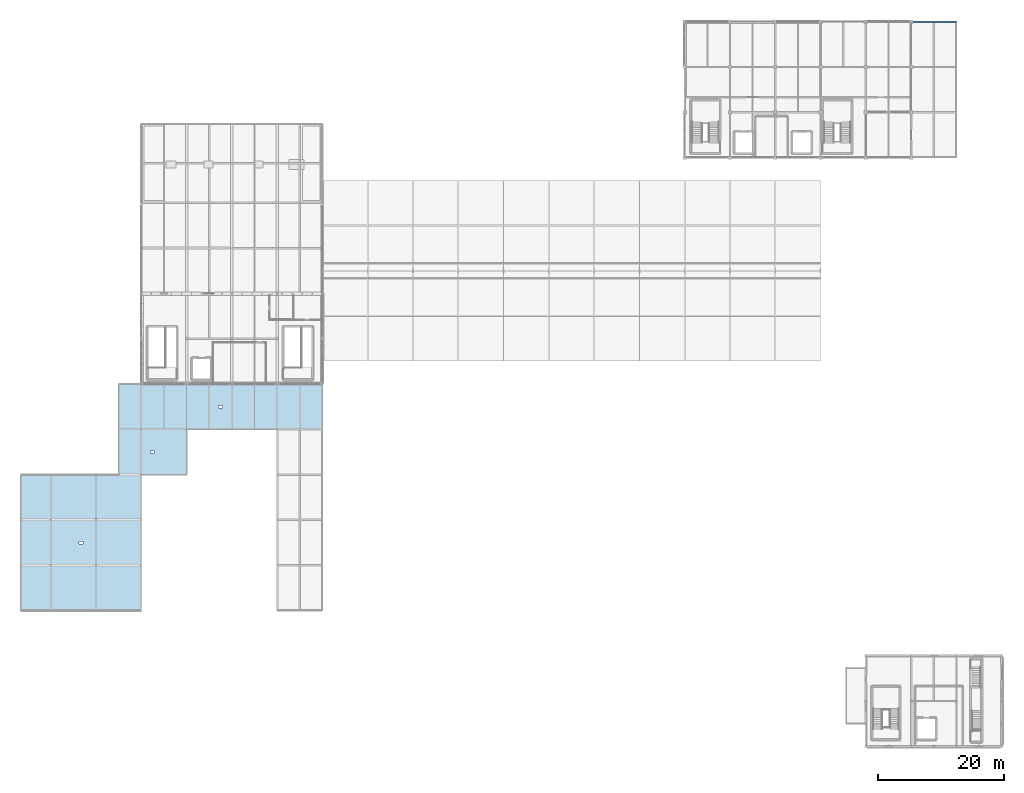
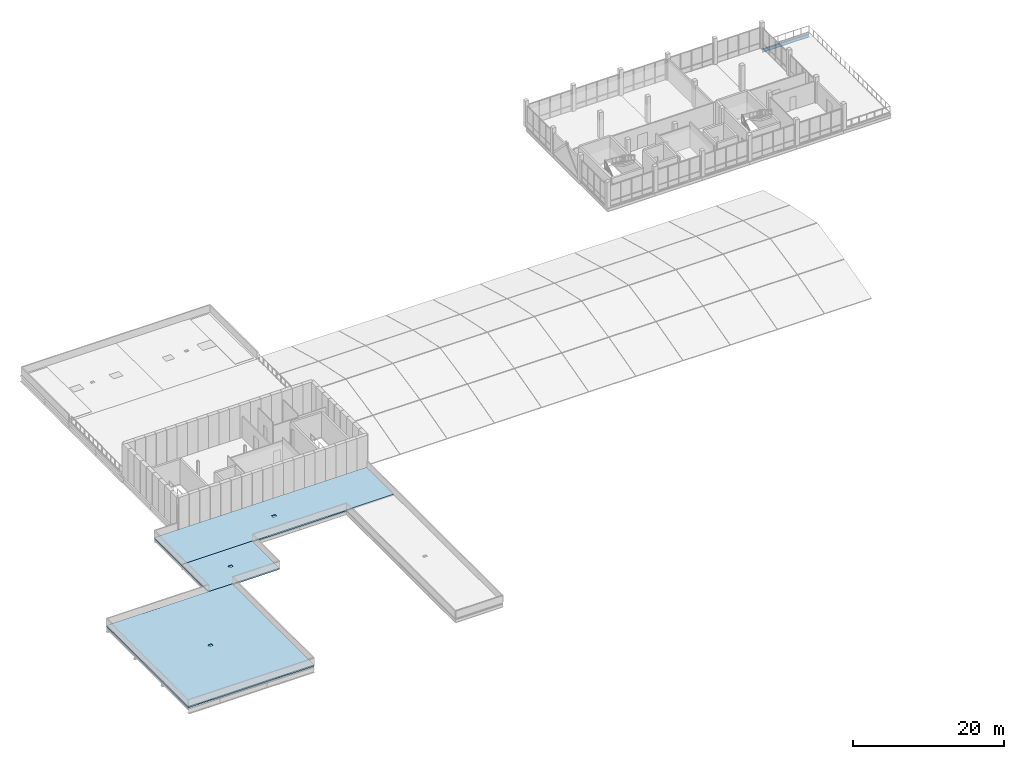
# One storey, part 29 of 47: 3 slabs, 1 beam.
"""IFC4 building model written with IfcOpenShell, lengths in metres."""

import ifcopenshell
import ifcopenshell.guid

model = None  # the IFC model being written
_history = None  # IfcOwnerHistory: only IFC2X3 demands one
_inside = {}  # id of a spatial element -> (the spatial element, [elements in it])
_under = {}  # id of a project, library or spatial element -> (it, [spatial elements below it])
_declared = {}  # id of a project -> (the project, [libraries it declares])
_typed = {}  # id of a type object -> (the type object, [elements of that type])
_made_of = {}  # id of a material, layer set ... -> (it, [elements and type objects made of it])


def new_model(schema):
    """Start an empty IFC model of exactly this schema.

    Asked for "IFC4X3", IfcOpenShell would pick the latest addendum, in which some entities
    have other attributes; the version numbers below select the first issue.
    IFC2X3 requires an IfcOwnerHistory on every rooted entity: one is made here for all.
    """
    global model, _history
    if schema == "IFC4X3":
        model = ifcopenshell.file(schema_version=(4, 3, 0, 0))
    else:
        model = ifcopenshell.file(schema=schema)
    _inside.clear()
    _under.clear()
    _declared.clear()
    _typed.clear()
    _made_of.clear()
    _history = None
    if model.schema == "IFC2X3":
        org = make("IfcOrganization", Name="unknown")
        user = make(
            "IfcPersonAndOrganization",
            ThePerson=make("IfcPerson", FamilyName="unknown"),
            TheOrganization=org,
        )
        app = make(
            "IfcApplication",
            ApplicationDeveloper=org,
            Version="unknown",
            ApplicationFullName="unknown",
            ApplicationIdentifier="unknown",
        )
        _history = make(
            "IfcOwnerHistory",
            OwningUser=user,
            OwningApplication=app,
            ChangeAction="ADDED",
            CreationDate=0,
        )
    return model


def make(cls, **values):
    """One entity of the class cls with the attributes given. An attribute that is None is left unset."""
    return model.create_entity(
        cls, **{name: value for name, value in values.items() if value is not None}
    )


def rooted(cls, **values):
    """An entity with a GlobalId (a new one), such as an element, a storey or a relation."""
    return make(cls, GlobalId=ifcopenshell.guid.new(), OwnerHistory=_history, **values)


def si_unit(unit_type, name, prefix=None):
    """IfcSIUnit, for example si_unit("LENGTHUNIT", "METRE", prefix="MILLI")."""
    return make("IfcSIUnit", UnitType=unit_type, Prefix=prefix, Name=name)


def assignment(units):
    """IfcUnitAssignment: the units of a project."""
    return None if units is None else make("IfcUnitAssignment", Units=units)


def point(xyz):
    """IfcCartesianPoint."""
    return None if xyz is None else make("IfcCartesianPoint", Coordinates=xyz)


def direction(xyz):
    """IfcDirection."""
    return None if xyz is None else make("IfcDirection", DirectionRatios=xyz)


def frame(location, z_axis=None, x_axis=None):
    """IfcAxis2Placement3D, a coordinate frame: its origin and axes. An axis left out is left unset."""
    return make(
        "IfcAxis2Placement3D",
        Location=point(location),
        Axis=direction(z_axis),
        RefDirection=direction(x_axis),
    )


def frame_2d(location, x_axis=None):
    """IfcAxis2Placement2D, a coordinate frame in the plane: its origin and x axis."""
    return make(
        "IfcAxis2Placement2D", Location=point(location), RefDirection=direction(x_axis)
    )


def origin():
    """The frame at (0, 0, 0) with its axes left unset."""
    return frame((0.0, 0.0, 0.0))


def origin_2d():
    """The frame at (0, 0) in the plane with its x axis left unset."""
    return frame_2d((0.0, 0.0))


def place(relative_to, where):
    """IfcLocalPlacement: puts the frame where relative to a parent placement (None: the world)."""
    return make(
        "IfcLocalPlacement", PlacementRelTo=relative_to, RelativePlacement=where
    )


def context(
    kind, dimensions, precision=None, world=None, true_north=None, identifier=None
):
    """IfcGeometricRepresentationContext, for example the 3D "Model" context."""
    return make(
        "IfcGeometricRepresentationContext",
        ContextIdentifier=identifier,
        ContextType=kind,
        CoordinateSpaceDimension=dimensions,
        Precision=precision,
        WorldCoordinateSystem=world,
        TrueNorth=true_north,
    )


def subcontext(parent, identifier, kind, view, scale=None):
    """IfcGeometricRepresentationSubContext, for example "Body" below "Model"."""
    return make(
        "IfcGeometricRepresentationSubContext",
        ContextIdentifier=identifier,
        ContextType=kind,
        ParentContext=parent,
        TargetScale=scale,
        TargetView=view,
    )


def project(units=None, contexts=None):
    """IfcProject with its units and contexts."""
    return rooted(
        "IfcProject",
        Name="project",
        RepresentationContexts=contexts,
        UnitsInContext=assignment(units),
    )


def spatial(cls, under=None, at=None, **own):
    """A site, building, storey or space (cls), placed at a placement, below another one or the project."""
    s = rooted(cls, ObjectPlacement=at, **own)
    if under is not None:
        _under.setdefault(under.id(), (under, []))[1].append(s)
    return s


def polyline(points):
    """IfcPolyline through the points."""
    return make("IfcPolyline", Points=[point(p) for p in points])


def profile(cls, at=None, kind="AREA", **sizes):
    """A parametric profile (cls). Its sizes go by their IFC names, for example OverallWidth=200.0."""
    return make(cls, ProfileType=kind, Position=at, **sizes)


def i_section(**sizes):
    """IfcIShapeProfileDef."""
    return profile("IfcIShapeProfileDef", **sizes)


def outline(outer, holes=None, kind="AREA"):
    """IfcArbitraryClosedProfileDef: a profile drawn as a closed curve; with holes, ...WithVoids."""
    if holes is None:
        return make("IfcArbitraryClosedProfileDef", ProfileType=kind, OuterCurve=outer)
    return make(
        "IfcArbitraryProfileDefWithVoids",
        ProfileType=kind,
        OuterCurve=outer,
        InnerCurves=holes,
    )


def extrude(swept, where, along, depth):
    """IfcExtrudedAreaSolid: the profile swept, set in the frame where, extruded along a direction by depth."""
    return make(
        "IfcExtrudedAreaSolid",
        SweptArea=swept,
        Position=where,
        ExtrudedDirection=direction(along),
        Depth=depth,
    )


def shape(context_of_items, identifier, shape_type, items):
    """IfcShapeRepresentation: the items that make up one representation, for example the "Body"."""
    return make(
        "IfcShapeRepresentation",
        ContextOfItems=context_of_items,
        RepresentationIdentifier=identifier,
        RepresentationType=shape_type,
        Items=items,
    )


def material(Name=None, Category=None):
    """IfcMaterial."""
    return make("IfcMaterial", Name=Name, Category=Category)


def layer(
    of_material, thickness, ventilated=None, Name=None, Category=None, Priority=None
):
    """IfcMaterialLayer: one layer of a wall or slab, of a material (None: an air gap)."""
    return make(
        "IfcMaterialLayer",
        Material=of_material,
        LayerThickness=thickness,
        IsVentilated=ventilated,
        Name=Name,
        Category=Category,
        Priority=Priority,
    )


def layer_set(layers, Name=None):
    """IfcMaterialLayerSet."""
    return make("IfcMaterialLayerSet", MaterialLayers=layers, LayerSetName=Name)


def material_profile(
    of_material, cross_section, Name=None, Category=None, Priority=None
):
    """IfcMaterialProfile: a cross section and its material."""
    return make(
        "IfcMaterialProfile",
        Name=Name,
        Material=of_material,
        Profile=cross_section,
        Priority=Priority,
        Category=Category,
    )


def profile_set(profiles, Name=None, composite=None):
    """IfcMaterialProfileSet."""
    return make(
        "IfcMaterialProfileSet",
        Name=Name,
        MaterialProfiles=profiles,
        CompositeProfile=composite,
    )


def made_of(thing, what):
    """Note that an element or type object is made of a material, layer set ...; save() writes the relation."""
    if what is not None:
        _made_of.setdefault(what.id(), (what, []))[1].append(thing)
    return thing


def type_object(cls, material=None, **own):
    """A type object (cls), such as IfcWallType, which elements share."""
    return made_of(rooted(cls, **own), material)


def element(
    cls,
    number,
    at=None,
    inside=None,
    cuts=None,
    type_object=None,
    material=None,
    context=None,
    identifier="Body",
    shape_type=None,
    held_by="IfcProductDefinitionShape",
    body=None,
    shapes=None,
    **own,
):
    """One element of the class cls, such as IfcWall. Its Tag is "e" and its number.

    at: its placement. inside: the storey or other place that contains it. cuts: it is an
    opening in that element (IfcRelVoidsElement). A single representation is given by context,
    identifier, shape_type and body (its items); several are given by shapes. held_by: the class
    of the entity that holds the representations. save() writes the other relations.
    """
    e = rooted(cls, Tag="e%d" % number, ObjectPlacement=at, **own)
    if body is not None:
        shapes = [shape(context, identifier, shape_type, body)]
    if shapes is not None:
        e.Representation = make(held_by, Representations=shapes)
    if inside is not None:
        _inside.setdefault(inside.id(), (inside, []))[1].append(e)
    if cuts is not None:
        rooted(
            "IfcRelVoidsElement", RelatingBuildingElement=cuts, RelatedOpeningElement=e
        )
    if type_object is not None:
        _typed.setdefault(type_object.id(), (type_object, []))[1].append(e)
    return made_of(e, material)


def aggregate(whole, parts):
    """IfcRelAggregates: a whole, such as a stair, and the parts it consists of."""
    return rooted("IfcRelAggregates", RelatingObject=whole, RelatedObjects=parts)


def save(model, path):
    """Write the relations noted so far, then the file.

    IfcRelAggregates (storeys below a building ...), IfcRelContainedInSpatialStructure (elements
    in a storey), IfcRelDefinesByType, IfcRelAssociatesMaterial and IfcRelDeclares: one each for
    every whole, place, type object, material and project.
    """
    for whole, parts in _under.values():
        aggregate(whole, parts)
    for where, things in _inside.values():
        rooted(
            "IfcRelContainedInSpatialStructure",
            RelatedElements=things,
            RelatingStructure=where,
        )
    for kind, things in _typed.values():
        rooted("IfcRelDefinesByType", RelatedObjects=things, RelatingType=kind)
    for what, things in _made_of.values():
        rooted("IfcRelAssociatesMaterial", RelatedObjects=things, RelatingMaterial=what)
    for by, libraries in _declared.values():
        rooted("IfcRelDeclares", RelatingContext=by, RelatedDefinitions=libraries)
    model.write(path)


model = new_model("IFC4")

# Units and contexts
model_context = context("Model", 3, precision=1e-05, world=origin(), true_north=direction((0.0, 1.0)))
body_context = subcontext(model_context, "Body", "Model", "MODEL_VIEW")
ifc_project = project(units=[si_unit("LENGTHUNIT", "METRE"), si_unit("AREAUNIT", "SQUARE_METRE"), si_unit("VOLUMEUNIT", "CUBIC_METRE"), si_unit("PLANEANGLEUNIT", "RADIAN"), si_unit("MASSUNIT", "GRAM", prefix="KILO")], contexts=[model_context])

# Site, building, storey
site_placement = place(None, origin())
site = spatial("IfcSite", under=ifc_project, at=site_placement, CompositionType="ELEMENT")
building_placement = place(site_placement, origin())
building = spatial("IfcBuilding", under=site, at=building_placement, Name="Yarey Park Central Fire Station", CompositionType="ELEMENT")
storey_placement = place(building_placement, frame((0.0, 0.0, 18.0)))
storey = spatial("IfcBuildingStorey", under=building, at=storey_placement, Name="L05", CompositionType="ELEMENT", Elevation=18.0)

# Beam
ifc_material_1 = material(Name="Steel ASTM A992 Gr. 50", Category="steel")
ifc_material_profile = material_profile(ifc_material_1, i_section(OverallWidth=0.208984375, OverallDepth=0.532958984375, WebThickness=0.01025390625, FlangeThickness=0.015625, at=origin_2d()), Name="W530x92")
ifc_profile_set = profile_set([ifc_material_profile], Name="Steel ASTM A992 Gr. 50")
beam_type = type_object("IfcBeamType", Name="STR_BM_W530", PredefinedType="BEAM", material=ifc_profile_set)
beam_placement = place(storey_placement, frame((151.199951171875, 115.199951171875, -0.50146484375), z_axis=(1.0, 0.0, 0.0), x_axis=(0.0, 1.0, 0.0)))
element("IfcBeam", 1, at=beam_placement, inside=storey, type_object=beam_type, Name="BMX L05 Y1152 X1512", PredefinedType="BEAM", context=body_context, shape_type="SweptSolid", body=[
    extrude(i_section(OverallWidth=0.208984375, OverallDepth=0.532958984375, WebThickness=0.01025390625, FlangeThickness=0.015625, at=origin_2d()), origin(), (0.0, 0.0, 1.0), 7.199951171875),
])

# Slabs
ifc_material_2 = material(Name="Concrete C40/50", Category="concrete")
ifc_layer = layer(ifc_material_2, 0.2099609375)
ifc_layer_set = layer_set([ifc_layer], Name="Concrete C40/50")
slab_type = type_object("IfcSlabType", Name="STR_ROOF_FLAT210", PredefinedType="ROOF", material=ifc_layer_set)
slab_1_placement = place(storey_placement, frame((0.0, 0.0, -0.2099609375)))
element("IfcSlab", 2, at=slab_1_placement, inside=storey, type_object=slab_type, Name="ROOF_L05_V1_DRUM_OVR", PredefinedType="ROOF", context=body_context, shape_type="SweptSolid", body=[
    extrude(outline(polyline([(9.60009765625, 21.60009765625), (28.800048828125, 21.60009765625), (28.800048828125, 43.199951171875), (9.60009765625, 43.199951171875), (9.60009765625, 21.60009765625)]), holes=[polyline([(18.89990234375, 32.199951171875), (19.5, 32.199951171875), (19.5, 32.60009765625), (18.89990234375, 32.60009765625), (18.89990234375, 32.199951171875)])]), origin(), (0.0, 0.0, 1.0), 0.2099609375),
])
slab_2_placement = place(storey_placement, frame((0.0, 0.0, -0.2099609375)))
element("IfcSlab", 3, at=slab_2_placement, inside=storey, type_object=slab_type, Name="ROOF_L05_V1_WN", PredefinedType="ROOF", context=body_context, shape_type="SweptSolid", body=[
    extrude(outline(polyline([(25.199951171875, 43.199951171875), (36.0, 43.199951171875), (36.0, 50.39990234375), (25.199951171875, 50.39990234375), (25.199951171875, 43.199951171875)]), holes=[polyline([(30.300048828125, 46.60009765625), (30.89990234375, 46.60009765625), (30.89990234375, 47.0), (30.300048828125, 47.0), (30.300048828125, 46.60009765625)])]), origin(), (0.0, 0.0, 1.0), 0.2099609375),
])
slab_3_placement = place(storey_placement, frame((0.0, 0.0, -0.2099609375)))
element("IfcSlab", 4, at=slab_3_placement, inside=storey, type_object=slab_type, Name="ROOF_L05_V1_N", PredefinedType="ROOF", context=body_context, shape_type="SweptSolid", body=[
    extrude(outline(polyline([(25.199951171875, 50.39990234375), (57.60009765625, 50.39990234375), (57.60009765625, 57.60009765625), (25.199951171875, 57.60009765625), (25.199951171875, 50.39990234375)]), holes=[polyline([(41.10009765625, 53.800048828125), (41.699951171875, 53.800048828125), (41.699951171875, 54.199951171875), (41.10009765625, 54.199951171875), (41.10009765625, 53.800048828125)])]), origin(), (0.0, 0.0, 1.0), 0.2099609375),
])

save(model, "model.ifc")
